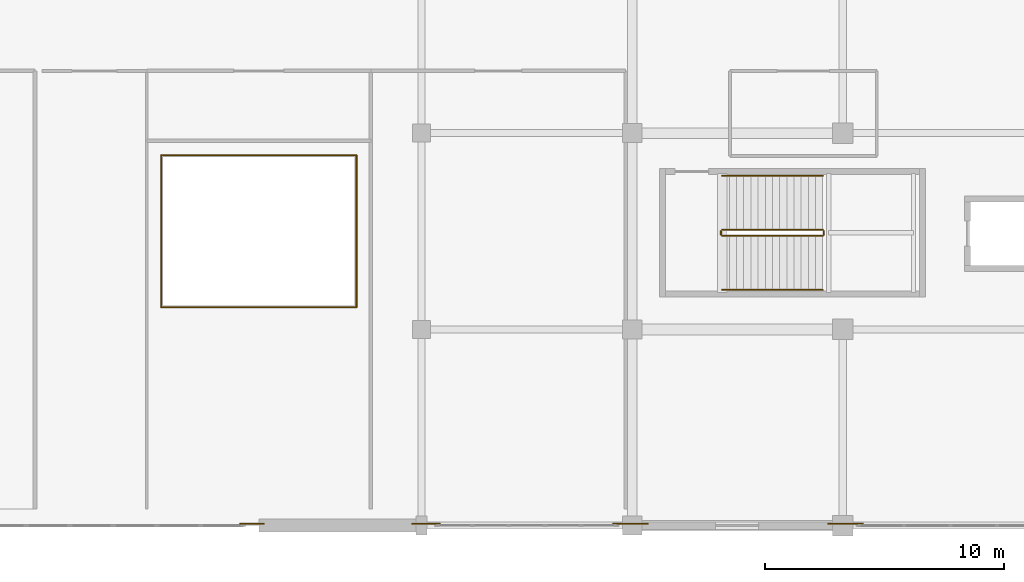
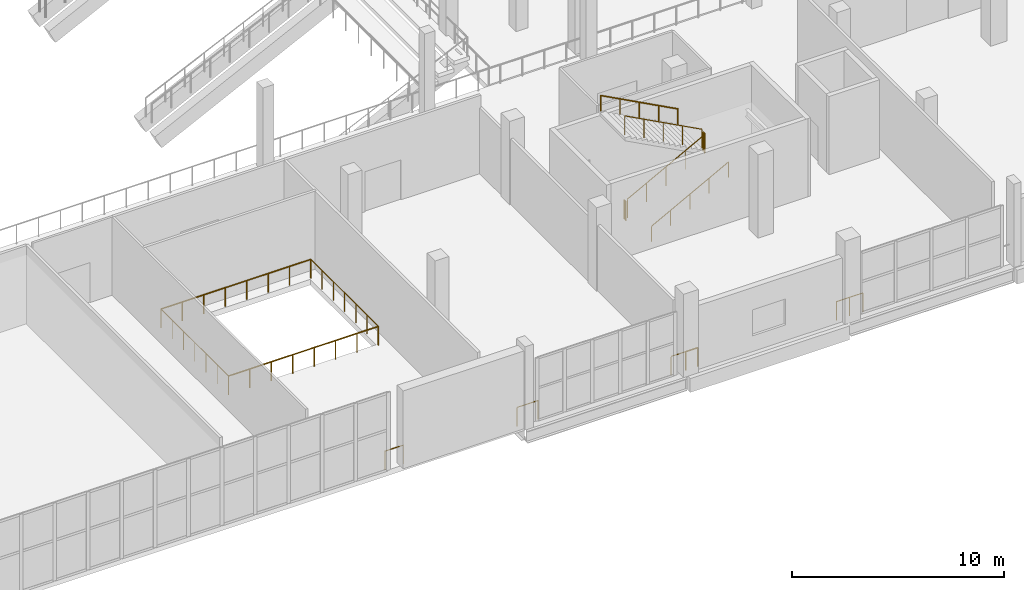
# One storey, part 112 of 129: 15 railings.
"""IFC4 building model written with IfcOpenShell, lengths in metres."""

from ifc_helpers import new_model, si_unit, direction, frame, origin, origin_2d, place, context, subcontext, project, spatial, circle, extrude, material, type_object, element, save


model = new_model("IFC4")

# Units and contexts
model_context = context("Model", 3, precision=1e-05, world=origin(), true_north=direction((0.0, 1.0)))
body_context = subcontext(model_context, "Body", "Model", "MODEL_VIEW")
ifc_project = project(units=[si_unit("LENGTHUNIT", "METRE"), si_unit("AREAUNIT", "SQUARE_METRE"), si_unit("VOLUMEUNIT", "CUBIC_METRE"), si_unit("PLANEANGLEUNIT", "RADIAN"), si_unit("MASSUNIT", "GRAM", prefix="KILO")], contexts=[model_context])

# Site, building, storey
site_placement = place(None, origin())
site = spatial("IfcSite", under=ifc_project, at=site_placement, CompositionType="ELEMENT")
building_placement = place(site_placement, origin())
building = spatial("IfcBuilding", under=site, at=building_placement, Name="Koshinbarg Plaza Stadium", CompositionType="ELEMENT")
storey_placement = place(building_placement, frame((0.0, 0.0, 5.39990234375)))
storey = spatial("IfcBuildingStorey", under=building, at=storey_placement, Name="L01", CompositionType="ELEMENT", Elevation=5.39990234375)

# Railings
ifc_material_1 = material(Name="Toughened laminated glass and stainless steel sightline balustrade", Category="steel")
railing_type_1 = type_object("IfcRailingType", Name="RL-BOWL-1100", PredefinedType="BALUSTRADE", material=ifc_material_1)
railing_1_placement = place(storey_placement, frame((151.919921875, 9.1201171875, 0.0)))
element("IfcRailing", 1, at=railing_1_placement, inside=storey, type_object=railing_type_1, Name="L01 atrium light-well balustrade 0043", PredefinedType="BALUSTRADE", context=body_context, shape_type="SweptSolid", body=[
    extrude(circle(Radius=0.02392578125, at=origin_2d()), frame((0.0, 0.0, 1.076171875), z_axis=(1.0, 0.0, 0.0), x_axis=(0.0, 1.0, 0.0)), (0.0, 0.0, 1.0), 8.16015625),
    extrude(circle(Radius=0.02099609375, at=origin_2d()), origin(), (0.0, 0.0, 1.0), 1.052001953125),
    extrude(circle(Radius=0.02099609375, at=origin_2d()), frame((1.165771484375, 0.0, 0.0)), (0.0, 0.0, 1.0), 1.052001953125),
    extrude(circle(Radius=0.02099609375, at=origin_2d()), frame((2.33154296875, 0.0, 0.0)), (0.0, 0.0, 1.0), 1.052001953125),
    extrude(circle(Radius=0.02099609375, at=origin_2d()), frame((3.497314453125, 0.0, 0.0)), (0.0, 0.0, 1.0), 1.052001953125),
    extrude(circle(Radius=0.02099609375, at=origin_2d()), frame((4.662841796875, 0.0, 0.0)), (0.0, 0.0, 1.0), 1.052001953125),
    extrude(circle(Radius=0.02099609375, at=origin_2d()), frame((5.82861328125, 0.0, 0.0)), (0.0, 0.0, 1.0), 1.052001953125),
    extrude(circle(Radius=0.02099609375, at=origin_2d()), frame((6.994384765625, 0.0, 0.0)), (0.0, 0.0, 1.0), 1.052001953125),
    extrude(circle(Radius=0.02099609375, at=origin_2d()), frame((8.16015625, 0.0, 0.0)), (0.0, 0.0, 1.0), 1.052001953125),
])
railing_2_placement = place(storey_placement, frame((160.080078125, 9.1201171875, 0.0)))
element("IfcRailing", 2, at=railing_2_placement, inside=storey, type_object=railing_type_1, Name="L01 atrium light-well balustrade 0044", PredefinedType="BALUSTRADE", context=body_context, shape_type="SweptSolid", body=[
    extrude(circle(Radius=0.02392578125, at=origin_2d()), frame((0.0, 0.0, 1.076171875), z_axis=(0.0, 1.0, 0.0), x_axis=(-1.0, 0.0, 0.0)), (0.0, 0.0, 1.0), 6.35986328125),
    extrude(circle(Radius=0.02099609375, at=origin_2d()), origin(), (0.0, 0.0, 1.0), 1.052001953125),
    extrude(circle(Radius=0.02099609375, at=origin_2d()), frame((0.0, 1.06005859375, 0.0)), (0.0, 0.0, 1.0), 1.052001953125),
    extrude(circle(Radius=0.02099609375, at=origin_2d()), frame((0.0, 2.119873046875, 0.0)), (0.0, 0.0, 1.0), 1.052001953125),
    extrude(circle(Radius=0.02099609375, at=origin_2d()), frame((0.0, 3.179931640625, 0.0)), (0.0, 0.0, 1.0), 1.052001953125),
    extrude(circle(Radius=0.02099609375, at=origin_2d()), frame((0.0, 4.239990234375, 0.0)), (0.0, 0.0, 1.0), 1.052001953125),
    extrude(circle(Radius=0.02099609375, at=origin_2d()), frame((0.0, 5.2998046875, 0.0)), (0.0, 0.0, 1.0), 1.052001953125),
    extrude(circle(Radius=0.02099609375, at=origin_2d()), frame((0.0, 6.35986328125, 0.0)), (0.0, 0.0, 1.0), 1.052001953125),
])
railing_3_placement = place(storey_placement, frame((160.080078125, 15.47998046875, 0.0)))
element("IfcRailing", 3, at=railing_3_placement, inside=storey, type_object=railing_type_1, Name="L01 atrium light-well balustrade 0045", PredefinedType="BALUSTRADE", context=body_context, shape_type="SweptSolid", body=[
    extrude(circle(Radius=0.02392578125, at=origin_2d()), frame((0.0, 0.0, 1.076171875), z_axis=(-1.0, 0.0, 0.0), x_axis=(0.0, -1.0, 0.0)), (0.0, 0.0, 1.0), 8.16015625),
    extrude(circle(Radius=0.02099609375, at=origin_2d()), origin(), (0.0, 0.0, 1.0), 1.052001953125),
    extrude(circle(Radius=0.02099609375, at=origin_2d()), frame((-1.165771484375, 0.0, 0.0)), (0.0, 0.0, 1.0), 1.052001953125),
    extrude(circle(Radius=0.02099609375, at=origin_2d()), frame((-2.33154296875, 0.0, 0.0)), (0.0, 0.0, 1.0), 1.052001953125),
    extrude(circle(Radius=0.02099609375, at=origin_2d()), frame((-3.497314453125, 0.0, 0.0)), (0.0, 0.0, 1.0), 1.052001953125),
    extrude(circle(Radius=0.02099609375, at=origin_2d()), frame((-4.662841796875, 0.0, 0.0)), (0.0, 0.0, 1.0), 1.052001953125),
    extrude(circle(Radius=0.02099609375, at=origin_2d()), frame((-5.82861328125, 0.0, 0.0)), (0.0, 0.0, 1.0), 1.052001953125),
    extrude(circle(Radius=0.02099609375, at=origin_2d()), frame((-6.994384765625, 0.0, 0.0)), (0.0, 0.0, 1.0), 1.052001953125),
    extrude(circle(Radius=0.02099609375, at=origin_2d()), frame((-8.16015625, 0.0, 0.0)), (0.0, 0.0, 1.0), 1.052001953125),
])
railing_4_placement = place(storey_placement, frame((151.919921875, 15.47998046875, 0.0)))
element("IfcRailing", 4, at=railing_4_placement, inside=storey, type_object=railing_type_1, Name="L01 atrium light-well balustrade 0046", PredefinedType="BALUSTRADE", context=body_context, shape_type="SweptSolid", body=[
    extrude(circle(Radius=0.02392578125, at=origin_2d()), frame((0.0, 0.0, 1.076171875), z_axis=(0.0, -1.0, 0.0), x_axis=(1.0, 0.0, 0.0)), (0.0, 0.0, 1.0), 6.35986328125),
    extrude(circle(Radius=0.02099609375, at=origin_2d()), origin(), (0.0, 0.0, 1.0), 1.052001953125),
    extrude(circle(Radius=0.02099609375, at=origin_2d()), frame((0.0, -1.06005859375, 0.0)), (0.0, 0.0, 1.0), 1.052001953125),
    extrude(circle(Radius=0.02099609375, at=origin_2d()), frame((0.0, -2.119873046875, 0.0)), (0.0, 0.0, 1.0), 1.052001953125),
    extrude(circle(Radius=0.02099609375, at=origin_2d()), frame((0.0, -3.179931640625, 0.0)), (0.0, 0.0, 1.0), 1.052001953125),
    extrude(circle(Radius=0.02099609375, at=origin_2d()), frame((0.0, -4.239990234375, 0.0)), (0.0, 0.0, 1.0), 1.052001953125),
    extrude(circle(Radius=0.02099609375, at=origin_2d()), frame((0.0, -5.2998046875, 0.0)), (0.0, 0.0, 1.0), 1.052001953125),
    extrude(circle(Radius=0.02099609375, at=origin_2d()), frame((0.0, -6.35986328125, 0.0)), (0.0, 0.0, 1.0), 1.052001953125),
])
railing_5_placement = place(storey_placement, frame((171.60009765625, 0.080078125, 0.0)))
element("IfcRailing", 5, at=railing_5_placement, inside=storey, type_object=railing_type_1, Name="L01 deck edge safety balustrade 0071", PredefinedType="BALUSTRADE", context=body_context, shape_type="SweptSolid", body=[
    extrude(circle(Radius=0.02392578125, at=origin_2d()), frame((0.0, 0.0, 1.076171875), z_axis=(-1.0, 0.0, 0.0), x_axis=(0.0, -1.0, 0.0)), (0.0, 0.0, 1.0), 0.799560546875),
    extrude(circle(Radius=0.02099609375, at=origin_2d()), origin(), (0.0, 0.0, 1.0), 1.052001953125),
    extrude(circle(Radius=0.02099609375, at=origin_2d()), frame((-0.799560546875, 0.0, 0.0)), (0.0, 0.0, 1.0), 1.052001953125),
])
railing_6_placement = place(storey_placement, frame((163.558349609375, 0.080078125, 0.0)))
element("IfcRailing", 6, at=railing_6_placement, inside=storey, type_object=railing_type_1, Name="L01 deck edge safety balustrade 0072", PredefinedType="BALUSTRADE", context=body_context, shape_type="SweptSolid", body=[
    extrude(circle(Radius=0.02392578125, at=origin_2d()), frame((0.0, 0.0, 1.076171875), z_axis=(-1.0, 0.0, 0.0), x_axis=(0.0, -1.0, 0.0)), (0.0, 0.0, 1.0), 1.149169921875),
    extrude(circle(Radius=0.02099609375, at=origin_2d()), origin(), (0.0, 0.0, 1.0), 1.052001953125),
    extrude(circle(Radius=0.02099609375, at=origin_2d()), frame((-1.149169921875, 0.0, 0.0)), (0.0, 0.0, 1.0), 1.052001953125),
])
railing_7_placement = place(storey_placement, frame((156.2158203125, 0.080078125, 0.0)))
element("IfcRailing", 7, at=railing_7_placement, inside=storey, type_object=railing_type_1, Name="L01 deck edge safety balustrade 0073", PredefinedType="BALUSTRADE", context=body_context, shape_type="SweptSolid", body=[
    extrude(circle(Radius=0.02392578125, at=origin_2d()), frame((0.0, 0.0, 1.076171875), z_axis=(-1.0, 0.0, 0.0), x_axis=(0.0, -1.0, 0.0)), (0.0, 0.0, 1.0), 0.99951171875),
    extrude(circle(Radius=0.02099609375, at=origin_2d()), origin(), (0.0, 0.0, 1.0), 1.052001953125),
    extrude(circle(Radius=0.02099609375, at=origin_2d()), frame((-0.99951171875, 0.0, 0.0)), (0.0, 0.0, 1.0), 1.052001953125),
])
railing_8_placement = place(storey_placement, frame((181.240966796875, 0.080078125, 0.0)))
element("IfcRailing", 8, at=railing_8_placement, inside=storey, type_object=railing_type_1, Name="L01 deck edge safety balustrade 0079", PredefinedType="BALUSTRADE", context=body_context, shape_type="SweptSolid", body=[
    extrude(circle(Radius=0.02392578125, at=origin_2d()), frame((0.0, 0.0, 1.076171875), z_axis=(-1.0, 0.0, 0.0), x_axis=(0.0, -1.0, 0.0)), (0.0, 0.0, 1.0), 1.448974609375),
    extrude(circle(Radius=0.02099609375, at=origin_2d()), origin(), (0.0, 0.0, 1.0), 1.052001953125),
    extrude(circle(Radius=0.02099609375, at=origin_2d()), frame((-0.724609375, 0.0, 0.0)), (0.0, 0.0, 1.0), 1.052001953125),
    extrude(circle(Radius=0.02099609375, at=origin_2d()), frame((-1.448974609375, 0.0, 0.0)), (0.0, 0.0, 1.0), 1.052001953125),
])
railing_9_placement = place(storey_placement, frame((172.24951171875, 0.080078125, 0.0)))
element("IfcRailing", 9, at=railing_9_placement, inside=storey, type_object=railing_type_1, Name="L01 deck edge safety balustrade 0080", PredefinedType="BALUSTRADE", context=body_context, shape_type="SweptSolid", body=[
    extrude(circle(Radius=0.02392578125, at=origin_2d()), frame((0.0, 0.0, 1.076171875), z_axis=(-1.0, 0.0, 0.0), x_axis=(0.0, -1.0, 0.0)), (0.0, 0.0, 1.0), 0.6494140625),
    extrude(circle(Radius=0.02099609375, at=origin_2d()), origin(), (0.0, 0.0, 1.0), 1.052001953125),
    extrude(circle(Radius=0.02099609375, at=origin_2d()), frame((-0.6494140625, 0.0, 0.0)), (0.0, 0.0, 1.0), 1.052001953125),
])
ifc_material_2 = material(Name="Galvanized painted steel guardrail", Category="steel")
railing_type_2 = type_object("IfcRailingType", Name="RL-GUARD-1100", PredefinedType="GUARDRAIL", material=ifc_material_2)
railing_10_placement = place(storey_placement, frame((175.360107421875, 12.110107421875, 0.16015625)))
element("IfcRailing", 10, at=railing_10_placement, inside=storey, type_object=railing_type_2, Name="L01 C14 stair guard 1", PredefinedType="GUARDRAIL", context=body_context, shape_type="SweptSolid", body=[
    extrude(circle(Radius=0.02392578125, at=origin_2d()), frame((0.0, 0.0, 1.076171875), z_axis=(0.882351521365, 0.0, 0.470590897432), x_axis=(0.0, 1.0, 0.0)), (0.0, 0.0, 1.0), 4.760009765625),
    extrude(circle(Radius=0.02099609375, at=origin_2d()), origin(), (0.0, 0.0, 1.0), 1.052001953125),
    extrude(circle(Radius=0.02099609375, at=origin_2d()), frame((1.050048828125, 0.0, 0.56005859375)), (0.0, 0.0, 1.0), 1.052001953125),
    extrude(circle(Radius=0.02099609375, at=origin_2d()), frame((2.10009765625, 0.0, 1.1201171875)), (0.0, 0.0, 1.0), 1.052001953125),
    extrude(circle(Radius=0.02099609375, at=origin_2d()), frame((3.14990234375, 0.0, 1.679931640625)), (0.0, 0.0, 1.0), 1.052001953125),
    extrude(circle(Radius=0.02099609375, at=origin_2d()), frame((4.199951171875, 0.0, 2.239990234375)), (0.0, 0.0, 1.0), 1.052001953125),
])
railing_11_placement = place(storey_placement, frame((179.610107421875, 12.159912109375, 2.400146484375)))
element("IfcRailing", 11, at=railing_11_placement, inside=storey, type_object=railing_type_2, Name="L01 C14 stair guard 2", PredefinedType="GUARDRAIL", context=body_context, shape_type="SweptSolid", body=[
    extrude(circle(Radius=0.02392578125, at=origin_2d()), frame((0.0, 0.0, 1.076171875), z_axis=(0.0, 1.0, 0.0), x_axis=(-1.0, 0.0, 0.0)), (0.0, 0.0, 1.0), 0.150146484375),
    extrude(circle(Radius=0.02099609375, at=origin_2d()), origin(), (0.0, 0.0, 1.0), 1.052001953125),
    extrude(circle(Radius=0.02099609375, at=origin_2d()), frame((0.0, 0.150146484375, 0.0)), (0.0, 0.0, 1.0), 1.052001953125),
])
railing_12_placement = place(storey_placement, frame((179.56005859375, 12.360107421875, 2.56005859375)))
element("IfcRailing", 12, at=railing_12_placement, inside=storey, type_object=railing_type_2, Name="L01 C14 stair guard 3", PredefinedType="GUARDRAIL", context=body_context, shape_type="SweptSolid", body=[
    extrude(circle(Radius=0.02392578125, at=origin_2d()), frame((0.0, 0.0, 1.076171875), z_axis=(-0.882351521365, 0.0, 0.470590897432), x_axis=(0.0, -1.0, 0.0)), (0.0, 0.0, 1.0), 4.760009765625),
    extrude(circle(Radius=0.02099609375, at=origin_2d()), origin(), (0.0, 0.0, 1.0), 1.052001953125),
    extrude(circle(Radius=0.02099609375, at=origin_2d()), frame((-1.050048828125, 0.0, 0.56005859375)), (0.0, 0.0, 1.0), 1.052001953125),
    extrude(circle(Radius=0.02099609375, at=origin_2d()), frame((-2.10009765625, 0.0, 1.1201171875)), (0.0, 0.0, 1.0), 1.052001953125),
    extrude(circle(Radius=0.02099609375, at=origin_2d()), frame((-3.14990234375, 0.0, 1.679931640625)), (0.0, 0.0, 1.0), 1.052001953125),
    extrude(circle(Radius=0.02099609375, at=origin_2d()), frame((-4.199951171875, 0.0, 2.239990234375)), (0.0, 0.0, 1.0), 1.052001953125),
])
railing_13_placement = place(storey_placement, frame((175.31005859375, 12.159912109375, 0.0)))
element("IfcRailing", 13, at=railing_13_placement, inside=storey, type_object=railing_type_2, Name="L01 C14 stair guard 4", PredefinedType="GUARDRAIL", context=body_context, shape_type="SweptSolid", body=[
    extrude(circle(Radius=0.02392578125, at=origin_2d()), frame((0.0, 0.0, 1.076171875), z_axis=(0.0, 1.0, 0.0), x_axis=(-1.0, 0.0, 0.0)), (0.0, 0.0, 1.0), 0.150146484375),
    extrude(circle(Radius=0.02099609375, at=origin_2d()), origin(), (0.0, 0.0, 1.0), 1.052001953125),
    extrude(circle(Radius=0.02099609375, at=origin_2d()), frame((0.0, 0.150146484375, 0.0)), (0.0, 0.0, 1.0), 1.052001953125),
])
ifc_material_3 = material(Name="Brushed stainless steel handrail", Category="steel")
railing_type_3 = type_object("IfcRailingType", Name="RL-HAND-900", PredefinedType="HANDRAIL", material=ifc_material_3)
railing_14_placement = place(storey_placement, frame((175.360107421875, 9.85009765625, 0.16015625)))
element("IfcRailing", 14, at=railing_14_placement, inside=storey, type_object=railing_type_3, Name="L01 C14 stair handrail 1", PredefinedType="HANDRAIL", context=body_context, shape_type="SweptSolid", body=[
    extrude(circle(Radius=0.02392578125, at=origin_2d()), frame((0.0, 0.0, 0.8759765625), z_axis=(0.882351521365, 0.0, 0.470590897432), x_axis=(0.0, 1.0, 0.0)), (0.0, 0.0, 1.0), 4.760009765625),
    extrude(circle(Radius=0.02099609375, at=origin_2d()), origin(), (0.0, 0.0, 1.0), 0.851806640625),
    extrude(circle(Radius=0.02099609375, at=origin_2d()), frame((1.050048828125, 0.0, 0.56005859375)), (0.0, 0.0, 1.0), 0.851806640625),
    extrude(circle(Radius=0.02099609375, at=origin_2d()), frame((2.10009765625, 0.0, 1.1201171875)), (0.0, 0.0, 1.0), 0.851806640625),
    extrude(circle(Radius=0.02099609375, at=origin_2d()), frame((3.14990234375, 0.0, 1.679931640625)), (0.0, 0.0, 1.0), 0.851806640625),
    extrude(circle(Radius=0.02099609375, at=origin_2d()), frame((4.199951171875, 0.0, 2.239990234375)), (0.0, 0.0, 1.0), 0.851806640625),
])
railing_15_placement = place(storey_placement, frame((179.56005859375, 14.6201171875, 2.56005859375)))
element("IfcRailing", 15, at=railing_15_placement, inside=storey, type_object=railing_type_3, Name="L01 C14 stair handrail 2", PredefinedType="HANDRAIL", context=body_context, shape_type="SweptSolid", body=[
    extrude(circle(Radius=0.02392578125, at=origin_2d()), frame((0.0, 0.0, 0.8759765625), z_axis=(-0.882351521365, 0.0, 0.470590897432), x_axis=(0.0, -1.0, 0.0)), (0.0, 0.0, 1.0), 4.760009765625),
    extrude(circle(Radius=0.02099609375, at=origin_2d()), origin(), (0.0, 0.0, 1.0), 0.851806640625),
    extrude(circle(Radius=0.02099609375, at=origin_2d()), frame((-1.050048828125, 0.0, 0.56005859375)), (0.0, 0.0, 1.0), 0.851806640625),
    extrude(circle(Radius=0.02099609375, at=origin_2d()), frame((-2.10009765625, 0.0, 1.1201171875)), (0.0, 0.0, 1.0), 0.851806640625),
    extrude(circle(Radius=0.02099609375, at=origin_2d()), frame((-3.14990234375, 0.0, 1.679931640625)), (0.0, 0.0, 1.0), 0.851806640625),
    extrude(circle(Radius=0.02099609375, at=origin_2d()), frame((-4.199951171875, 0.0, 2.239990234375)), (0.0, 0.0, 1.0), 0.851806640625),
])

save(model, "model.ifc")
